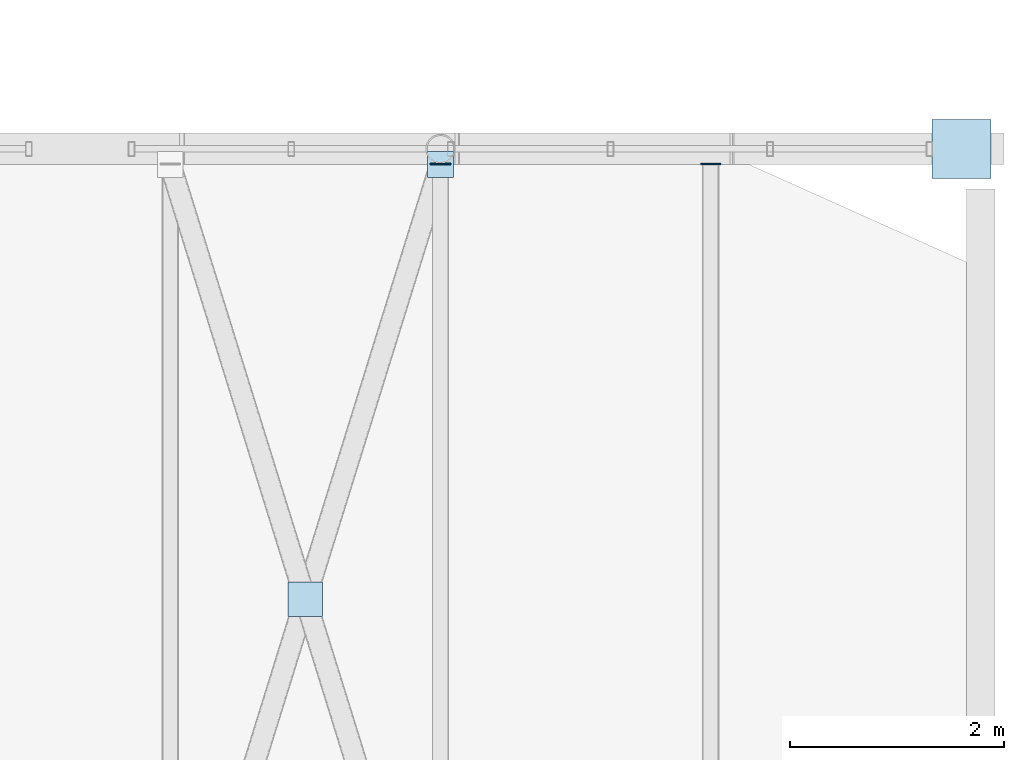
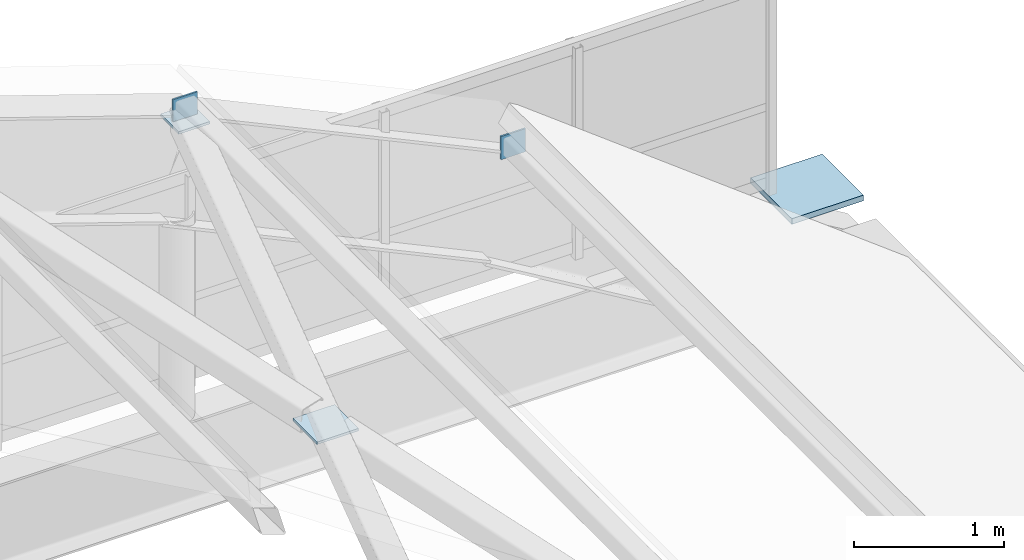
# One storey, part 90 of 107: 5 plates.
"""IFC4 building model written with IfcOpenShell, lengths in metres."""

from ifc_helpers import new_model, si_unit, direction, frame, origin, origin_2d, place, context, subcontext, project, spatial, rectangle, extrude, material, layer, layer_set, type_object, element, save


model = new_model("IFC4")

# Units and contexts
model_context = context("Model", 3, precision=1e-05, world=origin(), true_north=direction((0.0, 1.0)))
body_context = subcontext(model_context, "Body", "Model", "MODEL_VIEW")
ifc_project = project(units=[si_unit("LENGTHUNIT", "METRE"), si_unit("AREAUNIT", "SQUARE_METRE"), si_unit("VOLUMEUNIT", "CUBIC_METRE"), si_unit("PLANEANGLEUNIT", "RADIAN"), si_unit("MASSUNIT", "GRAM", prefix="KILO")], contexts=[model_context])

# Site, building, storey
site_placement = place(None, origin())
site = spatial("IfcSite", under=ifc_project, at=site_placement, CompositionType="ELEMENT")
building_placement = place(site_placement, origin())
building = spatial("IfcBuilding", under=site, at=building_placement, Name="Vireocrest Preparatory School", CompositionType="ELEMENT")
storey_placement = place(building_placement, frame((0.0, 0.0, 13.199951171875)))
storey = spatial("IfcBuildingStorey", under=building, at=storey_placement, Name="L03", CompositionType="ELEMENT", Elevation=13.199951171875)

# Plates
ifc_material = material(Name="Structural steel ASTM A572 Grade 50", Category="steel")
ifc_layer_1 = layer(ifc_material, 0.013916015625)
ifc_layer_set_1 = layer_set([ifc_layer_1], Name="Structural steel ASTM A572 Grade 50")
plate_type_1 = type_object("IfcPlateType", Name="Assembly Vault Purlin Steel End Cap Plate 14", PredefinedType="SHEET", material=ifc_layer_set_1)
for number, where, z_axis, x_axis, name in (
    (1, (162.9599609375, 52.05908203125, 2.26171875), (0.0, 0.0, 1.0), (1.0, 0.0, 0.0), "Purlin End Cap CP3 VAULT_ASSEMBLY B4-N-9"),
    (2, (165.47998046875, 52.05908203125, 1.0810546875), (0.0, 0.0, 1.0), (1.0, 0.0, 0.0), "Purlin End Cap CP3 VAULT_ASSEMBLY B4-N-10"),
):
    element("IfcPlate", number, at=place(storey_placement, frame(where, z_axis=z_axis, x_axis=x_axis)), inside=storey, type_object=plate_type_1, Name=name, PredefinedType="SHEET", context=body_context, shape_type="SweptSolid", body=[
        extrude(rectangle(XDim=0.18798828125, YDim=0.013916015625, at=origin_2d()), origin(), (0.0, 0.0, 1.0), 0.18798828125),
    ])
ifc_layer_2 = layer(ifc_material, 0.0458984375)
ifc_layer_set_2 = layer_set([ifc_layer_2], Name="Structural steel ASTM A572 Grade 50")
plate_type_2 = type_object("IfcPlateType", Name="Barrel-Vault Springing Gusset Shoe Plate 46", PredefinedType="SHEET", material=ifc_layer_set_2)
plate_1_placement = place(storey_placement, frame((167.820068359375, 52.199951171875, -0.122802734375), z_axis=(0.0, 0.0, 1.0), x_axis=(1.0, 0.0, 0.0)))
element("IfcPlate", 3, at=plate_1_placement, inside=storey, type_object=plate_type_2, Name="Node AS1 Vault Springing Shoe VAULT_ASSEMBLY-5E", PredefinedType="SHEET", context=body_context, shape_type="SweptSolid", body=[
    extrude(rectangle(XDim=0.550048828125, YDim=0.550048828125, at=origin_2d()), origin(), (0.0, 0.0, 1.0), 0.0458984375),
])
ifc_layer_3 = layer(ifc_material, 0.02001953125)
ifc_layer_set_3 = layer_set([ifc_layer_3], Name="Structural steel ASTM A572 Grade 50")
plate_type_3 = type_object("IfcPlateType", Name="Hollow Section Steel End Cap Plate 20", PredefinedType="SHEET", material=ifc_layer_set_3)
plate_2_placement = place(storey_placement, frame((162.9599609375, 52.053955078125, 2.2509765625), z_axis=(0.0, 0.0, 1.0), x_axis=(1.0, 0.0, 0.0)))
element("IfcPlate", 4, at=plate_2_placement, inside=storey, type_object=plate_type_3, Name="Brace Cap Plate CP1 VAULT_ASSEMBLY-4-8B", PredefinedType="SHEET", context=body_context, shape_type="SweptSolid", body=[
    extrude(rectangle(XDim=0.239990234375, YDim=0.239990234375, at=origin_2d()), origin(), (0.0, 0.0, 1.0), 0.02001953125),
])
plate_3_placement = place(storey_placement, frame((161.699951171875, 48.0, 2.6689453125), z_axis=(0.0, 0.0, 1.0), x_axis=(1.0, 0.0, 0.0)))
element("IfcPlate", 5, at=plate_3_placement, inside=storey, type_object=plate_type_3, Name="X-Brace Crossing Gusset CP1 VAULT_ASSEMBLY-4-8", PredefinedType="SHEET", context=body_context, shape_type="SweptSolid", body=[
    extrude(rectangle(XDim=0.320068359375, YDim=0.320068359375, at=origin_2d()), origin(), (0.0, 0.0, 1.0), 0.02001953125),
])

save(model, "model.ifc")
